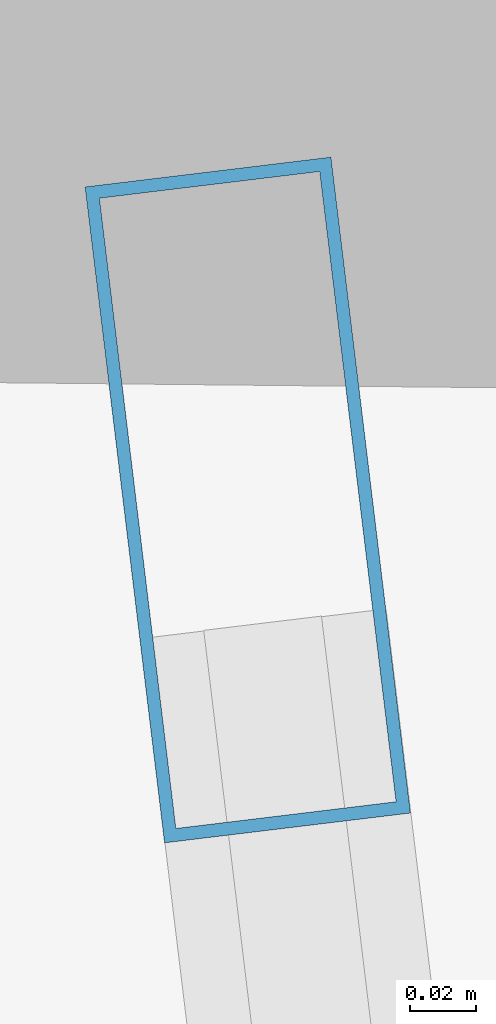
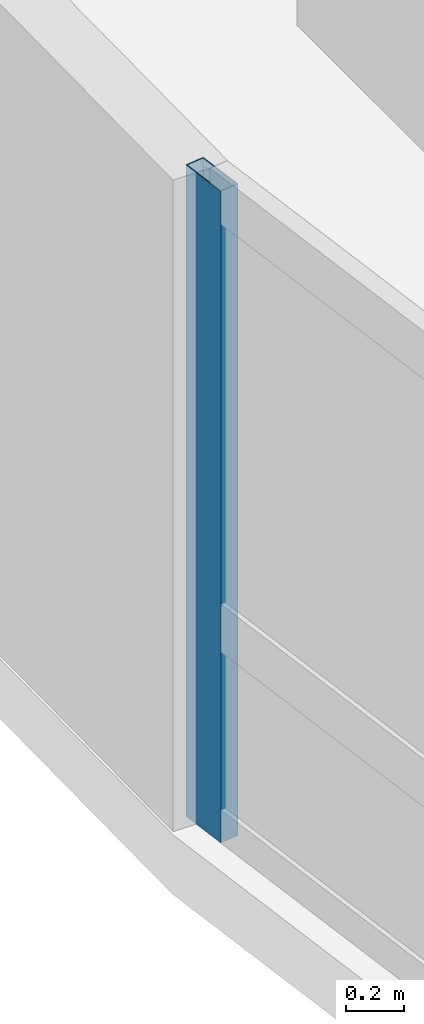
# One storey, part 8 of 23: 1 member, 1 element without a shape of its own.
"""IFC4 building model written with IfcOpenShell, lengths in metres."""

from ifc_helpers import new_model, si_unit, direction, frame, origin, origin_2d, place, context, subcontext, project, spatial, hollow_rectangle, extrude, material, layer, layer_set, material_profile, profile_set, type_object, element, aggregate, save


model = new_model("IFC4")

# Units and contexts
model_context = context("Model", 3, precision=1e-05, world=origin(), true_north=direction((0.0, 1.0)))
body_context = subcontext(model_context, "Body", "Model", "MODEL_VIEW")
ifc_project = project(units=[si_unit("LENGTHUNIT", "METRE"), si_unit("AREAUNIT", "SQUARE_METRE"), si_unit("VOLUMEUNIT", "CUBIC_METRE"), si_unit("PLANEANGLEUNIT", "RADIAN"), si_unit("MASSUNIT", "GRAM", prefix="KILO")], contexts=[model_context])

# Site, building, storey
site_placement = place(None, origin())
site = spatial("IfcSite", under=ifc_project, at=site_placement, CompositionType="ELEMENT")
building_placement = place(site_placement, origin())
building = spatial("IfcBuilding", under=site, at=building_placement, Name="Varnelok Gate Tower", CompositionType="ELEMENT")
storey_placement = place(building_placement, frame((0.0, 0.0, 200.5)))
storey = spatial("IfcBuildingStorey", under=building, at=storey_placement, Name="L51", CompositionType="ELEMENT", Elevation=200.5)

# Curtain wall, member
ifc_material = material(Name="Anodized Aluminum Alloy 6063-T6", Category="aluminium")
ifc_layer = layer(ifc_material, 0.179931640625)
ifc_layer_set = layer_set([ifc_layer], Name="Anodized Aluminum Alloy 6063-T6")
curtain_wall_type = type_object("IfcCurtainWallType", Name="CW4-RESIDENCE-VISION", PredefinedType="USERDEFINED", material=ifc_layer_set)
curtain_wall_placement = place(storey_placement, origin())
curtain_wall = element("IfcCurtainWall", 1, at=curtain_wall_placement, inside=storey, type_object=curtain_wall_type, Name="L51 West End Vision Curtain Wall", ObjectType="UNITISED CURTAIN WALL", PredefinedType="USERDEFINED")
ifc_material_profile = material_profile(ifc_material, hollow_rectangle(XDim=0.074951171875, YDim=0.199951171875, WallThickness=0.00390625, at=origin_2d()), Name="ALU200X75X4")
ifc_profile_set = profile_set([ifc_material_profile], Name="Anodized Aluminum Alloy 6063-T6")
member_type = type_object("IfcMemberType", Name="CW-MULL-200", PredefinedType="MULLION", material=ifc_profile_set)
member_placement = place(storey_placement, frame((2.290283203125, 37.610107421875, 0.0), z_axis=(0.0, 0.0, 1.0), x_axis=(-0.992732188751, -0.120344511371, 0.0)))
member = element("IfcMember", 2, at=member_placement, type_object=member_type, Name="CW4 mullion 6", PredefinedType="MULLION", context=body_context, shape_type="SweptSolid", body=[
    extrude(hollow_rectangle(XDim=0.074951171875, YDim=0.199951171875, WallThickness=0.00390625, at=origin_2d()), origin(), (0.0, 0.0, 1.0), 2.72998046875),
])
aggregate(curtain_wall, [member])

save(model, "model.ifc")
